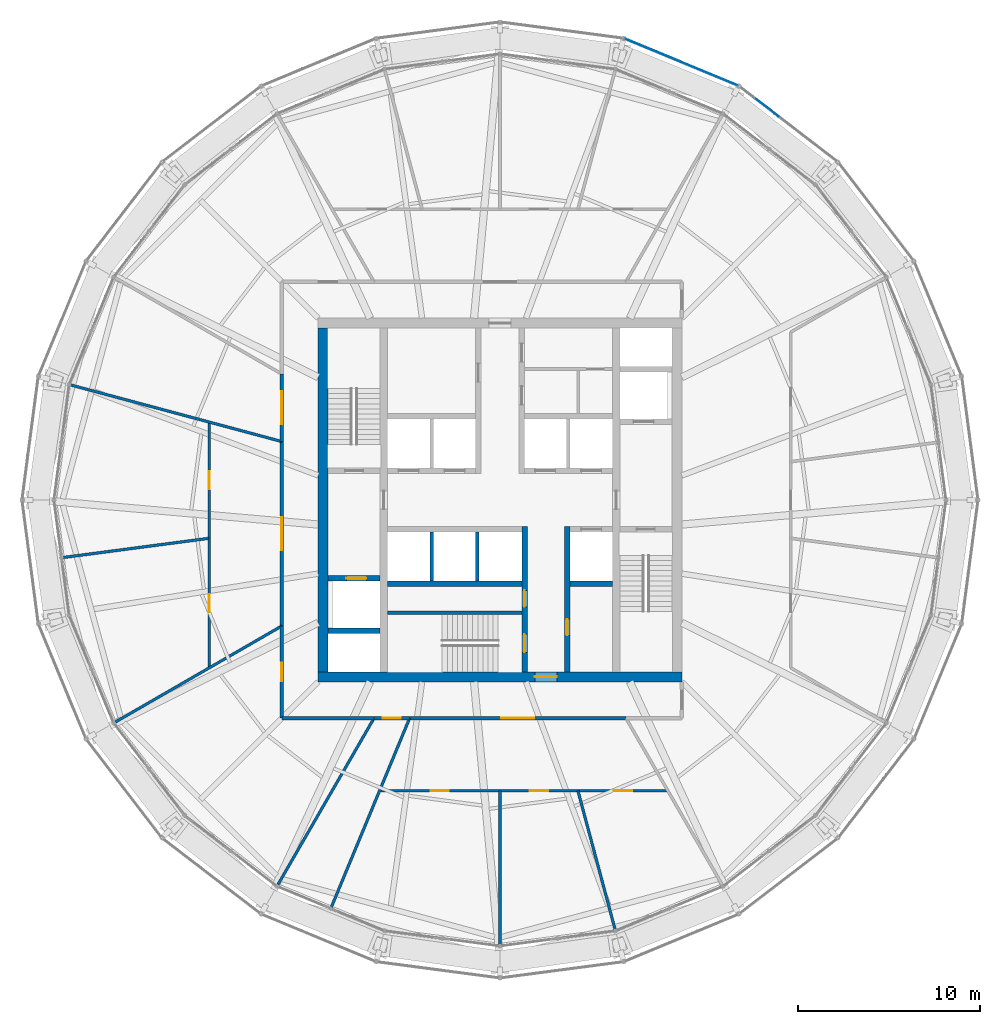
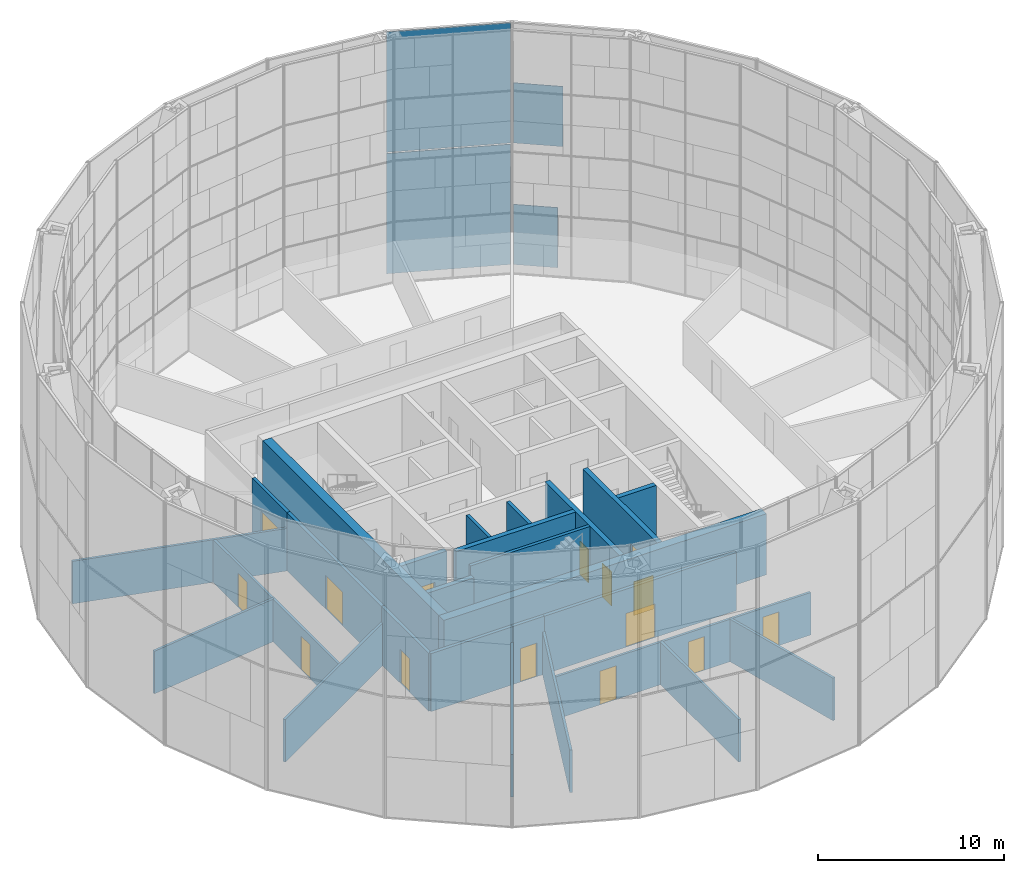
# One storey, part 26 of 29: 26 walls, 15 doors, 4 plates, 15 openings, 2 elements without a shape of their own.
"""IFC4 building model written with IfcOpenShell, lengths in metres."""

from ifc_helpers import new_model, si_unit, direction, frame, frame_2d, origin, origin_2d, place, context, subcontext, project, spatial, rectangle, extrude, material, layer, layer_set, type_object, element, fill, aggregate, save


model = new_model("IFC4")

# Units and contexts
model_context = context("Model", 3, precision=1e-05, world=origin(), true_north=direction((0.0, 1.0)))
body_context = subcontext(model_context, "Body", "Model", "MODEL_VIEW")
ifc_project = project(units=[si_unit("LENGTHUNIT", "METRE"), si_unit("AREAUNIT", "SQUARE_METRE"), si_unit("VOLUMEUNIT", "CUBIC_METRE"), si_unit("PLANEANGLEUNIT", "RADIAN"), si_unit("MASSUNIT", "GRAM", prefix="KILO")], contexts=[model_context])

# Site, building, storey
site_placement = place(None, origin())
site = spatial("IfcSite", under=ifc_project, at=site_placement, CompositionType="ELEMENT")
building_placement = place(site_placement, origin())
building = spatial("IfcBuilding", under=site, at=building_placement, Name="Golbaran Civic Tower", CompositionType="ELEMENT")
storey_placement = place(building_placement, frame((0.0, 0.0, 118.0)))
storey = spatial("IfcBuildingStorey", under=building, at=storey_placement, Name="L28", CompositionType="ELEMENT", Elevation=118.0)

# Curtain wall, plates
ifc_material_1 = material(Name="Aluminium and glass", Category="aluminium")
curtain_wall_type = type_object("IfcCurtainWallType", Name="OUTER SKIN TERRACOTTA SCREEN", PredefinedType="NOTDEFINED", material=ifc_material_1)
curtain_wall_1_placement = place(storey_placement, origin())
curtain_wall_1 = element("IfcCurtainWall", 1, at=curtain_wall_1_placement, inside=storey, type_object=curtain_wall_type, Name="Outer skin L28 facet 4 CW3", ObjectType="OUTER SKIN", PredefinedType="USERDEFINED")
ifc_material_2 = material(Name="Clear laminated glass", Category="glass")
ifc_layer_1 = layer(ifc_material_2, 0.0400390625, Name="Clear laminated glass")
ifc_layer_set_1 = layer_set([ifc_layer_1], Name="Clear laminated glass")
plate_type_1 = type_object("IfcPlateType", Name="OUTER SKIN CLEAR GLASS PANEL", PredefinedType="CURTAIN_PANEL", material=ifc_layer_set_1)
plate_1_placement = place(storey_placement, frame((14.26953125, 21.90869140625, 7.330078125), z_axis=(0.0, 0.0, 1.0), x_axis=(-0.793353340302, 0.608761428995, 0.0)))
plate_1 = element("IfcPlate", 2, at=plate_1_placement, type_object=plate_type_1, Name="CW3 panel 1.2 part 3", PredefinedType="CURTAIN_PANEL", context=body_context, shape_type="SweptSolid", body=[
    extrude(rectangle(XDim=2.6708984375, YDim=0.0400390625, at=origin_2d()), origin(), (0.0, 0.0, 1.0), 3.93994140625),
])
ifc_material_3 = material(Name="Terracotta baguette screen", Category="masonry")
ifc_layer_2 = layer(ifc_material_3, 0.0400390625, Name="Terracotta baguette screen")
ifc_layer_set_2 = layer_set([ifc_layer_2], Name="Terracotta baguette screen")
plate_type_2 = type_object("IfcPlateType", Name="OUTER SKIN TERRACOTTA INFILL PANEL", PredefinedType="CURTAIN_PANEL", material=ifc_layer_set_2)
plate_2_placement = place(storey_placement, frame((14.160400390625, 21.992431640625, -0.6298828125), z_axis=(0.0, 0.0, 1.0), x_axis=(-0.793353340302, 0.608761428995, 0.0)))
plate_2 = element("IfcPlate", 3, at=plate_2_placement, type_object=plate_type_2, Name="CW3 infill panel 1.1 part 2", PredefinedType="CURTAIN_PANEL", context=body_context, shape_type="SweptSolid", body=[
    extrude(rectangle(XDim=2.395751953125, YDim=0.0400390625, at=origin_2d()), origin(), (0.0, 0.0, 1.0), 3.93994140625),
])
aggregate(curtain_wall_1, [plate_2, plate_1])

curtain_wall_2_placement = place(storey_placement, origin())
curtain_wall_2 = element("IfcCurtainWall", 4, at=curtain_wall_2_placement, inside=storey, type_object=curtain_wall_type, Name="Outer skin L28 facet 5 CW3", ObjectType="OUTER SKIN", PredefinedType="USERDEFINED")
ifc_layer_3 = layer(ifc_material_3, 0.0400390625, Name="Terracotta baguette screen")
ifc_layer_set_3 = layer_set([ifc_layer_3], Name="Terracotta baguette screen")
plate_type_3 = type_object("IfcPlateType", Name="OUTER SKIN TERRACOTTA SCREEN PANEL", PredefinedType="CURTAIN_PANEL", material=ifc_layer_set_3)
plate_3_placement = place(storey_placement, frame((9.975830078125, 24.083740234375, -0.6298828125), z_axis=(0.0, 0.0, 1.0), x_axis=(-0.923879532505, 0.382683432381, 0.0)))
plate_3 = element("IfcPlate", 5, at=plate_3_placement, type_object=plate_type_3, Name="CW3 terracotta screen panel 1.1", PredefinedType="CURTAIN_PANEL", context=body_context, shape_type="SweptSolid", body=[
    extrude(rectangle(XDim=6.703857421875, YDim=0.0400390625, at=origin_2d()), origin(), (0.0, 0.0, 1.0), 7.8798828125),
])
plate_4_placement = place(storey_placement, frame((9.975830078125, 24.083740234375, 7.330078125), z_axis=(0.0, 0.0, 1.0), x_axis=(-0.923879532505, 0.382683432381, 0.0)))
plate_4 = element("IfcPlate", 6, at=plate_4_placement, type_object=plate_type_3, Name="CW3 terracotta screen panel 1.2", PredefinedType="CURTAIN_PANEL", context=body_context, shape_type="SweptSolid", body=[
    extrude(rectangle(XDim=6.703857421875, YDim=0.0400390625, at=origin_2d()), origin(), (0.0, 0.0, 1.0), 7.8798828125),
])
aggregate(curtain_wall_2, [plate_3, plate_4])

# Wall, opening, door
ifc_material_4 = material(Name="Concrete C50/60", Category="concrete")
ifc_layer_4 = layer(ifc_material_4, 0.550048828125, Name="Concrete C50/60")
ifc_layer_set_4 = layer_set([ifc_layer_4], Name="Concrete C50/60")
wall_type_1 = type_object("IfcWallType", Name="CORE WALL CONCRETE 550", PredefinedType="SOLIDWALL", material=ifc_layer_set_4)
wall_1_placement = place(storey_placement, frame((10.0, -9.72509765625, 0.0), z_axis=(0.0, 0.0, 1.0), x_axis=(-1.0, 0.0, 0.0)))
wall_1 = element("IfcWall", 7, at=wall_1_placement, inside=storey, type_object=wall_type_1, Name="Core wall CS L28", PredefinedType="SOLIDWALL", context=body_context, shape_type="SweptSolid", body=[
    extrude(rectangle(XDim=20.0, YDim=0.550048828125, at=frame_2d((10.0, 0.0))), origin(), (0.0, 0.0, 1.0), 4.0),
])
opening_1_placement = place(wall_1_placement, frame((6.875, 0.0, 0.0)))
opening_1 = element("IfcOpeningElement", 8, at=opening_1_placement, cuts=wall_1, Name="Opening L28.CS", PredefinedType="OPENING", context=body_context, shape_type="SweptSolid", body=[
    extrude(rectangle(XDim=1.199951171875, YDim=2.199951171875, at=frame_2d((0.60009765625, 1.10009765625))), frame((0.0, 0.284912109375, 0.0), z_axis=(0.0, -1.0, 0.0), x_axis=(1.0, 0.0, 0.0)), (0.0, 0.0, 1.0), 0.570068359375),
])
ifc_material_5 = material(Name="Timber door set in steel frame", Category="steel")
door_type_1 = type_object("IfcDoorType", Name="CORE DOOR 1200x2200", OperationType="DOUBLE_DOOR_SINGLE_SWING", PredefinedType="DOOR", material=ifc_material_5)
door_1_placement = place(opening_1_placement, origin())
door_1 = element("IfcDoor", 9, at=door_1_placement, inside=storey, type_object=door_type_1, Name="Core door south", OperationType="DOUBLE_DOOR_SINGLE_SWING", OverallHeight=2.199951171875, OverallWidth=1.199951171875, PredefinedType="DOOR", context=body_context, shape_type="SweptSolid", body=[
    extrude(rectangle(XDim=1.199951171875, YDim=2.199951171875, at=frame_2d((0.60009765625, 1.10009765625))), frame((0.0, 0.02490234375, 0.0), z_axis=(0.0, -1.0, 0.0), x_axis=(1.0, 0.0, 0.0)), (0.0, 0.0, 1.0), 0.050048828125),
])
fill(opening_1, door_1)

# Wall
wall_2_placement = place(storey_placement, frame((-9.72509765625, 9.449951171875, 0.0), z_axis=(0.0, 0.0, 1.0), x_axis=(0.0, -1.0, 0.0)))
element("IfcWall", 10, at=wall_2_placement, inside=storey, type_object=wall_type_1, Name="Core wall CW L28", PredefinedType="SOLIDWALL", context=body_context, shape_type="SweptSolid", body=[
    extrude(rectangle(XDim=18.89990234375, YDim=0.550048828125, at=frame_2d((9.449951171875, 0.0))), origin(), (0.0, 0.0, 1.0), 4.0),
])

# Wall, opening, door
ifc_material_6 = material(Name="Gypsum board on steel studs, fire-rated", Category="steel")
ifc_layer_5 = layer(ifc_material_6, 0.199951171875, Name="Gypsum board on steel studs, fire-rated")
ifc_layer_set_5 = layer_set([ifc_layer_5], Name="Gypsum board on steel studs, fire-rated")
wall_type_2 = type_object("IfcWallType", Name="CORRIDOR WALL 200", PredefinedType="PARTITIONING", material=ifc_layer_set_5)
wall_3_placement = place(storey_placement, frame((-12.0, 6.92822265625, 0.0), z_axis=(0.0, 0.0, 1.0), x_axis=(0.0, -1.0, 0.0)))
wall_3 = element("IfcWall", 11, at=wall_3_placement, inside=storey, type_object=wall_type_2, Name="Corridor wall L28", PredefinedType="PARTITIONING", context=body_context, shape_type="SweptSolid", body=[
    extrude(rectangle(XDim=3.712890625, YDim=0.199951171875, at=frame_2d((1.8564453125, 0.0))), origin(), (0.0, 0.0, 1.0), 3.800048828125),
])
opening_2_placement = place(wall_3_placement, frame((0.956298828125, 0.0, 0.0)))
opening_2 = element("IfcOpeningElement", 12, at=opening_2_placement, cuts=wall_3, Name="Opening L28.15", PredefinedType="OPENING", context=body_context, shape_type="SweptSolid", body=[
    extrude(rectangle(XDim=1.800048828125, YDim=2.199951171875, at=frame_2d((0.89990234375, 1.10009765625))), frame((0.0, 0.10986328125, 0.0), z_axis=(0.0, -1.0, 0.0), x_axis=(1.0, 0.0, 0.0)), (0.0, 0.0, 1.0), 0.219970703125),
])
door_type_2 = type_object("IfcDoorType", Name="OFFICE DOUBLE DOOR 1800x2200", OperationType="DOUBLE_DOOR_SINGLE_SWING", PredefinedType="DOOR", material=ifc_material_5)
door_2_placement = place(opening_2_placement, origin())
door_2 = element("IfcDoor", 13, at=door_2_placement, inside=storey, type_object=door_type_2, Name="Open Office door L28", OperationType="DOUBLE_DOOR_SINGLE_SWING", OverallHeight=2.199951171875, OverallWidth=1.800048828125, PredefinedType="DOOR", context=body_context, shape_type="SweptSolid", body=[
    extrude(rectangle(XDim=1.800048828125, YDim=2.199951171875, at=frame_2d((0.89990234375, 1.10009765625))), frame((0.0, 0.02490234375, 0.0), z_axis=(0.0, -1.0, 0.0), x_axis=(1.0, 0.0, 0.0)), (0.0, 0.0, 1.0), 0.050048828125),
])
fill(opening_2, door_2)

wall_4_placement = place(storey_placement, frame((-12.0, 3.21533203125, 0.0), z_axis=(0.0, 0.0, 1.0), x_axis=(0.0, -1.0, 0.0)))
wall_4 = element("IfcWall", 14, at=wall_4_placement, inside=storey, type_object=wall_type_2, Name="Corridor wall L28", PredefinedType="PARTITIONING", context=body_context, shape_type="SweptSolid", body=[
    extrude(rectangle(XDim=10.1435546875, YDim=0.199951171875, at=frame_2d((5.07177734375, 0.0))), origin(), (0.0, 0.0, 1.0), 3.800048828125),
])
opening_3_placement = place(wall_4_placement, frame((4.171875, 0.0, 0.0)))
opening_3 = element("IfcOpeningElement", 15, at=opening_3_placement, cuts=wall_4, Name="Opening L28.16", PredefinedType="OPENING", context=body_context, shape_type="SweptSolid", body=[
    extrude(rectangle(XDim=1.800048828125, YDim=2.199951171875, at=frame_2d((0.89990234375, 1.10009765625))), frame((0.0, 0.10986328125, 0.0), z_axis=(0.0, -1.0, 0.0), x_axis=(1.0, 0.0, 0.0)), (0.0, 0.0, 1.0), 0.219970703125),
])
door_3_placement = place(opening_3_placement, origin())
door_3 = element("IfcDoor", 16, at=door_3_placement, inside=storey, type_object=door_type_2, Name="Secretariat door L28", OperationType="DOUBLE_DOOR_SINGLE_SWING", OverallHeight=2.199951171875, OverallWidth=1.800048828125, PredefinedType="DOOR", context=body_context, shape_type="SweptSolid", body=[
    extrude(rectangle(XDim=1.800048828125, YDim=2.199951171875, at=frame_2d((0.89990234375, 1.10009765625))), frame((0.0, 0.02490234375, 0.0), z_axis=(0.0, -1.0, 0.0), x_axis=(1.0, 0.0, 0.0)), (0.0, 0.0, 1.0), 0.050048828125),
])
fill(opening_3, door_3)

wall_5_placement = place(storey_placement, frame((-12.0, -6.92822265625, 0.0), z_axis=(0.0, 0.0, 1.0), x_axis=(0.0, -1.0, 0.0)))
wall_5 = element("IfcWall", 17, at=wall_5_placement, inside=storey, type_object=wall_type_2, Name="Corridor wall L28", PredefinedType="PARTITIONING", context=body_context, shape_type="SweptSolid", body=[
    extrude(rectangle(XDim=5.07177734375, YDim=0.199951171875, at=frame_2d((2.535888671875, 0.0))), origin(), (0.0, 0.0, 1.0), 3.800048828125),
])
opening_4_placement = place(wall_5_placement, frame((2.035888671875, 0.0, 0.0)))
opening_4 = element("IfcOpeningElement", 18, at=opening_4_placement, cuts=wall_5, Name="Opening L28.17", PredefinedType="OPENING", context=body_context, shape_type="SweptSolid", body=[
    extrude(rectangle(XDim=1.0, YDim=2.199951171875, at=frame_2d((0.5, 1.10009765625))), frame((0.0, 0.10986328125, 0.0), z_axis=(0.0, -1.0, 0.0), x_axis=(1.0, 0.0, 0.0)), (0.0, 0.0, 1.0), 0.219970703125),
])
door_type_3 = type_object("IfcDoorType", Name="OFFICE DOOR 1000x2200", OperationType="SINGLE_SWING_LEFT", PredefinedType="DOOR", material=ifc_material_5)
door_4_placement = place(opening_4_placement, origin())
door_4 = element("IfcDoor", 19, at=door_4_placement, inside=storey, type_object=door_type_3, Name="File Room door L28", OperationType="SINGLE_SWING_RIGHT", OverallHeight=2.199951171875, OverallWidth=1.0, PredefinedType="DOOR", context=body_context, shape_type="SweptSolid", body=[
    extrude(rectangle(XDim=1.0, YDim=2.199951171875, at=frame_2d((0.5, 1.10009765625))), frame((0.0, 0.02490234375, 0.0), z_axis=(0.0, -1.0, 0.0), x_axis=(1.0, 0.0, 0.0)), (0.0, 0.0, 1.0), 0.050048828125),
])
fill(opening_4, door_4)

# Wall
wall_6_placement = place(storey_placement, frame((-12.0, -12.0, 0.0), z_axis=(0.0, 0.0, 1.0), x_axis=(1.0, 0.0, 0.0)))
element("IfcWall", 20, at=wall_6_placement, inside=storey, type_object=wall_type_2, Name="Corridor wall L28", PredefinedType="PARTITIONING", context=body_context, shape_type="SweptSolid", body=[
    extrude(rectangle(XDim=5.07177734375, YDim=0.199951171875, at=frame_2d((2.535888671875, 0.0))), origin(), (0.0, 0.0, 1.0), 3.800048828125),
])

# Wall, opening, door
wall_7_placement = place(storey_placement, frame((-6.92822265625, -12.0, 0.0), z_axis=(0.0, 0.0, 1.0), x_axis=(1.0, 0.0, 0.0)))
wall_7 = element("IfcWall", 21, at=wall_7_placement, inside=storey, type_object=wall_type_2, Name="Corridor wall L28", PredefinedType="PARTITIONING", context=body_context, shape_type="SweptSolid", body=[
    extrude(rectangle(XDim=1.957763671875, YDim=0.199951171875, at=frame_2d((0.97900390625, 0.0))), origin(), (0.0, 0.0, 1.0), 3.800048828125),
])
opening_5_placement = place(wall_7_placement, frame((0.478759765625, 0.0, 0.0)))
opening_5 = element("IfcOpeningElement", 22, at=opening_5_placement, cuts=wall_7, Name="Opening L28.18", PredefinedType="OPENING", context=body_context, shape_type="SweptSolid", body=[
    extrude(rectangle(XDim=1.0, YDim=2.199951171875, at=frame_2d((0.5, 1.10009765625))), frame((0.0, 0.10986328125, 0.0), z_axis=(0.0, -1.0, 0.0), x_axis=(1.0, 0.0, 0.0)), (0.0, 0.0, 1.0), 0.219970703125),
])
door_5_placement = place(opening_5_placement, origin())
door_5 = element("IfcDoor", 23, at=door_5_placement, inside=storey, type_object=door_type_3, Name="Meeting Room door L28", OperationType="SINGLE_SWING_LEFT", OverallHeight=2.199951171875, OverallWidth=1.0, PredefinedType="DOOR", context=body_context, shape_type="SweptSolid", body=[
    extrude(rectangle(XDim=1.0, YDim=2.199951171875, at=frame_2d((0.5, 1.10009765625))), frame((0.0, 0.02490234375, 0.0), z_axis=(0.0, -1.0, 0.0), x_axis=(1.0, 0.0, 0.0)), (0.0, 0.0, 1.0), 0.050048828125),
])
fill(opening_5, door_5)

wall_8_placement = place(storey_placement, frame((-4.970458984375, -12.0, 0.0), z_axis=(0.0, 0.0, 1.0), x_axis=(1.0, 0.0, 0.0)))
wall_8 = element("IfcWall", 24, at=wall_8_placement, inside=storey, type_object=wall_type_2, Name="Corridor wall L28", PredefinedType="PARTITIONING", context=body_context, shape_type="SweptSolid", body=[
    extrude(rectangle(XDim=11.898681640625, YDim=0.199951171875, at=frame_2d((5.94921875, 0.0))), origin(), (0.0, 0.0, 1.0), 3.800048828125),
])
opening_6_placement = place(wall_8_placement, frame((5.04931640625, 0.0, 0.0)))
opening_6 = element("IfcOpeningElement", 25, at=opening_6_placement, cuts=wall_8, Name="Opening L28.19", PredefinedType="OPENING", context=body_context, shape_type="SweptSolid", body=[
    extrude(rectangle(XDim=1.800048828125, YDim=2.199951171875, at=frame_2d((0.89990234375, 1.10009765625))), frame((0.0, 0.10986328125, 0.0), z_axis=(0.0, -1.0, 0.0), x_axis=(1.0, 0.0, 0.0)), (0.0, 0.0, 1.0), 0.219970703125),
])
door_6_placement = place(opening_6_placement, origin())
door_6 = element("IfcDoor", 26, at=door_6_placement, inside=storey, type_object=door_type_2, Name="Secretariat door L28", OperationType="DOUBLE_DOOR_SINGLE_SWING", OverallHeight=2.199951171875, OverallWidth=1.800048828125, PredefinedType="DOOR", context=body_context, shape_type="SweptSolid", body=[
    extrude(rectangle(XDim=1.800048828125, YDim=2.199951171875, at=frame_2d((0.89990234375, 1.10009765625))), frame((0.0, 0.02490234375, 0.0), z_axis=(0.0, -1.0, 0.0), x_axis=(1.0, 0.0, 0.0)), (0.0, 0.0, 1.0), 0.050048828125),
])
fill(opening_6, door_6)

# Walls
ifc_material_7 = material(Name="Concrete block", Category="concrete")
ifc_layer_6 = layer(ifc_material_7, 0.199951171875, Name="Concrete block")
ifc_layer_set_6 = layer_set([ifc_layer_6], Name="Concrete block")
wall_type_3 = type_object("IfcWallType", Name="LIFT SEPARATOR WALL 200", PredefinedType="SOLIDWALL", material=ifc_layer_set_6)
for number, where, z_axis, x_axis, name in (
    (27, (-3.75, -1.75, 0.0), (0.0, 0.0, 1.0), (0.0, -1.0, 0.0), "Core partition SSW L28"),
    (28, (-1.25, -1.75, 0.0), (0.0, 0.0, 1.0), (0.0, -1.0, 0.0), "Core partition SSM L28"),
):
    element("IfcWall", number, at=place(storey_placement, frame(where, z_axis=z_axis, x_axis=x_axis)), inside=storey, type_object=wall_type_3, Name=name, PredefinedType="SOLIDWALL", context=body_context, shape_type="SweptSolid", body=[
        extrude(rectangle(XDim=2.699951171875, YDim=0.199951171875, at=frame_2d((1.35009765625, 0.0))), origin(), (0.0, 0.0, 1.0), 3.75),
    ])
ifc_material_8 = material(Name="Gypsum board on steel studs", Category="steel")
ifc_layer_7 = layer(ifc_material_8, 0.14990234375, Name="Gypsum board on steel studs")
ifc_layer_set_7 = layer_set([ifc_layer_7], Name="Gypsum board on steel studs")
wall_type_4 = type_object("IfcWallType", Name="OFFICE PARTITION 150", PredefinedType="PARTITIONING", material=ifc_layer_set_7)
wall_9_placement = place(storey_placement, frame((-12.0, 3.21533203125, 0.0), z_axis=(0.0, 0.0, 1.0), x_axis=(-0.965923753467, 0.258826780857, 0.0)))
element("IfcWall", 29, at=wall_9_placement, inside=storey, type_object=wall_type_4, Name="Partition 165 L28", PredefinedType="PARTITIONING", context=body_context, shape_type="SweptSolid", body=[
    extrude(rectangle(XDim=12.02001953125, YDim=0.14990234375, at=frame_2d((6.010009765625, 0.0))), origin(), (0.0, 0.0, 1.0), 2.7900390625),
])
for number, where, z_axis, x_axis, name in (
    (30, (-12.0, -6.92822265625, 0.0), (0.0, 0.0, 1.0), (-0.866023526577, -0.500003251404, 0.0), "Partition 210 L28"),
    (31, (-6.92822265625, -12.0, 0.0), (0.0, 0.0, 1.0), (-0.500003251404, -0.866023526577, 0.0), "Partition 240 L28"),
):
    element("IfcWall", number, at=place(storey_placement, frame(where, z_axis=z_axis, x_axis=x_axis)), inside=storey, type_object=wall_type_4, Name=name, PredefinedType="PARTITIONING", context=body_context, shape_type="SweptSolid", body=[
        extrude(rectangle(XDim=10.5869140625, YDim=0.14990234375, at=frame_2d((5.29345703125, 0.0))), origin(), (0.0, 0.0, 1.0), 2.7900390625),
    ])
wall_10_placement = place(storey_placement, frame((-4.970458984375, -12.0, 0.0), z_axis=(0.0, 0.0, 1.0), x_axis=(-0.382686061022, -0.923878443682, 0.0)))
element("IfcWall", 32, at=wall_10_placement, inside=storey, type_object=wall_type_4, Name="Partition 247.5 L28", PredefinedType="PARTITIONING", context=body_context, shape_type="SweptSolid", body=[
    extrude(rectangle(XDim=11.245361328125, YDim=0.14990234375, at=frame_2d((5.62255859375, 0.0))), origin(), (0.0, 0.0, 1.0), 2.7900390625),
])

# Wall, openings, doors
wall_11_placement = place(storey_placement, frame((-16.0, 4.287109375, 0.0), z_axis=(0.0, 0.0, 1.0), x_axis=(0.0, -1.0, 0.0)))
wall_11 = element("IfcWall", 33, at=wall_11_placement, inside=storey, type_object=wall_type_4, Name="Suite partition L28", PredefinedType="PARTITIONING", context=body_context, shape_type="SweptSolid", body=[
    extrude(rectangle(XDim=13.524658203125, YDim=0.14990234375, at=frame_2d((6.76220703125, 0.0))), origin(), (0.0, 0.0, 1.0), 2.7900390625),
])
opening_7_placement = place(wall_11_placement, frame((2.69677734375, 0.0, 0.0)))
opening_7 = element("IfcOpeningElement", 34, at=opening_7_placement, cuts=wall_11, Name="Opening L28.08", PredefinedType="OPENING", context=body_context, shape_type="SweptSolid", body=[
    extrude(rectangle(XDim=1.0, YDim=2.199951171875, at=frame_2d((0.5, 1.10009765625))), frame((0.0, 0.0849609375, 0.0), z_axis=(0.0, -1.0, 0.0), x_axis=(1.0, 0.0, 0.0)), (0.0, 0.0, 1.0), 0.169921875),
])
opening_8_placement = place(wall_11_placement, frame((9.459228515625, 0.0, 0.0)))
opening_8 = element("IfcOpeningElement", 35, at=opening_8_placement, cuts=wall_11, Name="Opening L28.09", PredefinedType="OPENING", context=body_context, shape_type="SweptSolid", body=[
    extrude(rectangle(XDim=1.0, YDim=2.199951171875, at=frame_2d((0.5, 1.10009765625))), frame((0.0, 0.0849609375, 0.0), z_axis=(0.0, -1.0, 0.0), x_axis=(1.0, 0.0, 0.0)), (0.0, 0.0, 1.0), 0.169921875),
])
door_7_placement = place(opening_7_placement, origin())
door_7 = element("IfcDoor", 36, at=door_7_placement, inside=storey, type_object=door_type_3, Name="Office door L28", OperationType="SINGLE_SWING_LEFT", OverallHeight=2.199951171875, OverallWidth=1.0, PredefinedType="DOOR", context=body_context, shape_type="SweptSolid", body=[
    extrude(rectangle(XDim=1.0, YDim=2.199951171875, at=frame_2d((0.5, 1.10009765625))), frame((0.0, 0.02490234375, 0.0), z_axis=(0.0, -1.0, 0.0), x_axis=(1.0, 0.0, 0.0)), (0.0, 0.0, 1.0), 0.050048828125),
])
fill(opening_7, door_7)
door_8_placement = place(opening_8_placement, origin())
door_8 = element("IfcDoor", 37, at=door_8_placement, inside=storey, type_object=door_type_3, Name="Office door L28", OperationType="SINGLE_SWING_RIGHT", OverallHeight=2.199951171875, OverallWidth=1.0, PredefinedType="DOOR", context=body_context, shape_type="SweptSolid", body=[
    extrude(rectangle(XDim=1.0, YDim=2.199951171875, at=frame_2d((0.5, 1.10009765625))), frame((0.0, 0.02490234375, 0.0), z_axis=(0.0, -1.0, 0.0), x_axis=(1.0, 0.0, 0.0)), (0.0, 0.0, 1.0), 0.050048828125),
])
fill(opening_8, door_8)

# Wall
wall_12_placement = place(storey_placement, frame((-16.0, -2.1064453125, 0.0), z_axis=(0.0, 0.0, 1.0), x_axis=(-0.99144669858, -0.130512236494, 0.0)))
element("IfcWall", 38, at=wall_12_placement, inside=storey, type_object=wall_type_4, Name="Partition 187.5 L28", PredefinedType="PARTITIONING", context=body_context, shape_type="SweptSolid", body=[
    extrude(rectangle(XDim=8.09619140625, YDim=0.14990234375, at=frame_2d((4.048095703125, 0.0))), origin(), (0.0, 0.0, 1.0), 2.7900390625),
])

# Wall, openings, doors
wall_13_placement = place(storey_placement, frame((-6.62744140625, -16.0, 0.0), z_axis=(0.0, 0.0, 1.0), x_axis=(1.0, 0.0, 0.0)))
wall_13 = element("IfcWall", 39, at=wall_13_placement, inside=storey, type_object=wall_type_4, Name="Suite partition L28", PredefinedType="PARTITIONING", context=body_context, shape_type="SweptSolid", body=[
    extrude(rectangle(XDim=15.864990234375, YDim=0.14990234375, at=frame_2d((7.9326171875, 0.0))), origin(), (0.0, 0.0, 1.0), 2.7900390625),
])
opening_9_placement = place(wall_13_placement, frame((2.813720703125, 0.0, 0.0)))
opening_9 = element("IfcOpeningElement", 40, at=opening_9_placement, cuts=wall_13, Name="Opening L28.10", PredefinedType="OPENING", context=body_context, shape_type="SweptSolid", body=[
    extrude(rectangle(XDim=1.0, YDim=2.199951171875, at=frame_2d((0.5, 1.10009765625))), frame((0.0, 0.0849609375, 0.0), z_axis=(0.0, -1.0, 0.0), x_axis=(1.0, 0.0, 0.0)), (0.0, 0.0, 1.0), 0.169921875),
])
opening_10_placement = place(wall_13_placement, frame((8.27099609375, 0.0, 0.0)))
opening_10 = element("IfcOpeningElement", 41, at=opening_10_placement, cuts=wall_13, Name="Opening L28.11", PredefinedType="OPENING", context=body_context, shape_type="SweptSolid", body=[
    extrude(rectangle(XDim=1.0, YDim=2.199951171875, at=frame_2d((0.5, 1.10009765625))), frame((0.0, 0.0849609375, 0.0), z_axis=(0.0, -1.0, 0.0), x_axis=(1.0, 0.0, 0.0)), (0.0, 0.0, 1.0), 0.169921875),
])
opening_11_placement = place(wall_13_placement, frame((12.889892578125, 0.0, 0.0)))
opening_11 = element("IfcOpeningElement", 42, at=opening_11_placement, cuts=wall_13, Name="Opening L28.12", PredefinedType="OPENING", context=body_context, shape_type="SweptSolid", body=[
    extrude(rectangle(XDim=1.0, YDim=2.199951171875, at=frame_2d((0.5, 1.10009765625))), frame((0.0, 0.0849609375, 0.0), z_axis=(0.0, -1.0, 0.0), x_axis=(1.0, 0.0, 0.0)), (0.0, 0.0, 1.0), 0.169921875),
])
door_9_placement = place(opening_9_placement, origin())
door_9 = element("IfcDoor", 43, at=door_9_placement, inside=storey, type_object=door_type_3, Name="Office door L28", OperationType="SINGLE_SWING_LEFT", OverallHeight=2.199951171875, OverallWidth=1.0, PredefinedType="DOOR", context=body_context, shape_type="SweptSolid", body=[
    extrude(rectangle(XDim=1.0, YDim=2.199951171875, at=frame_2d((0.5, 1.10009765625))), frame((0.0, 0.02490234375, 0.0), z_axis=(0.0, -1.0, 0.0), x_axis=(1.0, 0.0, 0.0)), (0.0, 0.0, 1.0), 0.050048828125),
])
fill(opening_9, door_9)
door_10_placement = place(opening_10_placement, origin())
door_10 = element("IfcDoor", 44, at=door_10_placement, inside=storey, type_object=door_type_3, Name="Office door L28", OperationType="SINGLE_SWING_RIGHT", OverallHeight=2.199951171875, OverallWidth=1.0, PredefinedType="DOOR", context=body_context, shape_type="SweptSolid", body=[
    extrude(rectangle(XDim=1.0, YDim=2.199951171875, at=frame_2d((0.5, 1.10009765625))), frame((0.0, 0.02490234375, 0.0), z_axis=(0.0, -1.0, 0.0), x_axis=(1.0, 0.0, 0.0)), (0.0, 0.0, 1.0), 0.050048828125),
])
fill(opening_10, door_10)
door_11_placement = place(opening_11_placement, origin())
door_11 = element("IfcDoor", 45, at=door_11_placement, inside=storey, type_object=door_type_3, Name="Office door L28", OperationType="SINGLE_SWING_RIGHT", OverallHeight=2.199951171875, OverallWidth=1.0, PredefinedType="DOOR", context=body_context, shape_type="SweptSolid", body=[
    extrude(rectangle(XDim=1.0, YDim=2.199951171875, at=frame_2d((0.5, 1.10009765625))), frame((0.0, 0.02490234375, 0.0), z_axis=(0.0, -1.0, 0.0), x_axis=(1.0, 0.0, 0.0)), (0.0, 0.0, 1.0), 0.050048828125),
])
fill(opening_11, door_11)

# Walls
wall_14_placement = place(storey_placement, frame((0.0, -16.0, 0.0), z_axis=(0.0, 0.0, 1.0), x_axis=(0.0, -1.0, 0.0)))
element("IfcWall", 46, at=wall_14_placement, inside=storey, type_object=wall_type_4, Name="Partition 270 L28", PredefinedType="PARTITIONING", context=body_context, shape_type="SweptSolid", body=[
    extrude(rectangle(XDim=8.443115234375, YDim=0.14990234375, at=frame_2d((4.2216796875, 0.0))), origin(), (0.0, 0.0, 1.0), 2.7900390625),
])
wall_15_placement = place(storey_placement, frame((4.287109375, -16.0, 0.0), z_axis=(0.0, 0.0, 1.0), x_axis=(0.258833147156, -0.965922047545, 0.0)))
element("IfcWall", 47, at=wall_15_placement, inside=storey, type_object=wall_type_4, Name="Partition 285 L28", PredefinedType="PARTITIONING", context=body_context, shape_type="SweptSolid", body=[
    extrude(rectangle(XDim=7.87890625, YDim=0.14990234375, at=frame_2d((3.939453125, 0.0))), origin(), (0.0, 0.0, 1.0), 2.7900390625),
])
ifc_layer_8 = layer(ifc_material_4, 0.199951171875, Name="Concrete C50/60")
ifc_layer_set_8 = layer_set([ifc_layer_8], Name="Concrete C50/60")
wall_type_5 = type_object("IfcWallType", Name="SHAFT WALL CONCRETE 200", PredefinedType="SOLIDWALL", material=ifc_layer_set_8)
wall_16_placement = place(storey_placement, frame((-6.199951171875, -6.199951171875, 0.0), z_axis=(0.0, 0.0, 1.0), x_axis=(1.0, 0.0, 0.0)))
element("IfcWall", 48, at=wall_16_placement, inside=storey, type_object=wall_type_5, Name="Core wall S3N L28", PredefinedType="SOLIDWALL", context=body_context, shape_type="SweptSolid", body=[
    extrude(rectangle(XDim=7.39990234375, YDim=0.199951171875, at=frame_2d((3.699951171875, 0.0))), origin(), (0.0, 0.0, 1.0), 4.0),
])
ifc_layer_9 = layer(ifc_material_4, 0.300048828125, Name="Concrete C50/60")
ifc_layer_set_9 = layer_set([ifc_layer_9], Name="Concrete C50/60")
wall_type_6 = type_object("IfcWallType", Name="SHAFT WALL CONCRETE 300", PredefinedType="SOLIDWALL", material=ifc_layer_set_9)
wall_17_placement = place(storey_placement, frame((-6.199951171875, -4.60009765625, 0.0), z_axis=(0.0, 0.0, 1.0), x_axis=(1.0, 0.0, 0.0)))
element("IfcWall", 49, at=wall_17_placement, inside=storey, type_object=wall_type_6, Name="Core wall BSW L28", PredefinedType="SOLIDWALL", context=body_context, shape_type="SweptSolid", body=[
    extrude(rectangle(XDim=7.39990234375, YDim=0.300048828125, at=frame_2d((3.699951171875, 0.0))), origin(), (0.0, 0.0, 1.0), 4.0),
])
wall_18_placement = place(storey_placement, frame((3.85009765625, -4.60009765625, 0.0), z_axis=(0.0, 0.0, 1.0), x_axis=(1.0, 0.0, 0.0)))
element("IfcWall", 50, at=wall_18_placement, inside=storey, type_object=wall_type_6, Name="Core wall BSE L28", PredefinedType="SOLIDWALL", context=body_context, shape_type="SweptSolid", body=[
    extrude(rectangle(XDim=2.349853515625, YDim=0.300048828125, at=frame_2d((1.1748046875, 0.0))), origin(), (0.0, 0.0, 1.0), 4.0),
])

# Wall, openings, doors
wall_19_placement = place(storey_placement, frame((1.35009765625, -1.449951171875, 0.0), z_axis=(0.0, 0.0, 1.0), x_axis=(0.0, -1.0, 0.0)))
wall_19 = element("IfcWall", 51, at=wall_19_placement, inside=storey, type_object=wall_type_6, Name="Core wall PSW L28", PredefinedType="SOLIDWALL", context=body_context, shape_type="SweptSolid", body=[
    extrude(rectangle(XDim=8.0, YDim=0.300048828125, at=frame_2d((4.0, 0.0))), origin(), (0.0, 0.0, 1.0), 4.0),
])
opening_12_placement = place(wall_19_placement, frame((5.925048828125, 0.0, 0.0)))
opening_12 = element("IfcOpeningElement", 52, at=opening_12_placement, cuts=wall_19, Name="Opening L28.S3", PredefinedType="OPENING", context=body_context, shape_type="SweptSolid", body=[
    extrude(rectangle(XDim=1.0, YDim=2.199951171875, at=frame_2d((0.5, 1.10009765625))), frame((0.0, 0.159912109375, 0.0), z_axis=(0.0, -1.0, 0.0), x_axis=(1.0, 0.0, 0.0)), (0.0, 0.0, 1.0), 0.320068359375),
])
opening_13_placement = place(wall_19_placement, frame((3.52490234375, 0.0, 0.0)))
opening_13 = element("IfcOpeningElement", 53, at=opening_13_placement, cuts=wall_19, Name="Opening L28.RE", PredefinedType="OPENING", context=body_context, shape_type="SweptSolid", body=[
    extrude(rectangle(XDim=0.89990234375, YDim=2.199951171875, at=frame_2d((0.449951171875, 1.10009765625))), frame((0.0, 0.159912109375, 0.0), z_axis=(0.0, -1.0, 0.0), x_axis=(1.0, 0.0, 0.0)), (0.0, 0.0, 1.0), 0.320068359375),
])
door_type_4 = type_object("IfcDoorType", Name="RISER DOOR 900x2200", OperationType="SINGLE_SWING_LEFT", PredefinedType="DOOR", material=ifc_material_5)
door_12_placement = place(opening_13_placement, origin())
door_12 = element("IfcDoor", 54, at=door_12_placement, inside=storey, type_object=door_type_4, Name="Electrical riser door", OperationType="SINGLE_SWING_LEFT", OverallHeight=2.199951171875, OverallWidth=0.89990234375, PredefinedType="DOOR", context=body_context, shape_type="SweptSolid", body=[
    extrude(rectangle(XDim=0.89990234375, YDim=2.199951171875, at=frame_2d((0.449951171875, 1.10009765625))), frame((0.0, 0.02490234375, 0.0), z_axis=(0.0, -1.0, 0.0), x_axis=(1.0, 0.0, 0.0)), (0.0, 0.0, 1.0), 0.050048828125),
])
fill(opening_13, door_12)
door_type_5 = type_object("IfcDoorType", Name="STAIR DOOR 1000x2200", OperationType="SINGLE_SWING_LEFT", PredefinedType="DOOR", material=ifc_material_5)
door_13_placement = place(opening_12_placement, origin())
door_13 = element("IfcDoor", 55, at=door_13_placement, inside=storey, type_object=door_type_5, Name="Stair S3 door", OperationType="SINGLE_SWING_RIGHT", OverallHeight=2.199951171875, OverallWidth=1.0, PredefinedType="DOOR", context=body_context, shape_type="SweptSolid", body=[
    extrude(rectangle(XDim=1.0, YDim=2.199951171875, at=frame_2d((0.5, 1.10009765625))), frame((0.0, 0.02490234375, 0.0), z_axis=(0.0, -1.0, 0.0), x_axis=(1.0, 0.0, 0.0)), (0.0, 0.0, 1.0), 0.050048828125),
])
fill(opening_12, door_13)

# Wall, opening, door
wall_20_placement = place(storey_placement, frame((3.699951171875, -1.449951171875, 0.0), z_axis=(0.0, 0.0, 1.0), x_axis=(0.0, -1.0, 0.0)))
wall_20 = element("IfcWall", 56, at=wall_20_placement, inside=storey, type_object=wall_type_6, Name="Core wall PSE L28", PredefinedType="SOLIDWALL", context=body_context, shape_type="SweptSolid", body=[
    extrude(rectangle(XDim=8.0, YDim=0.300048828125, at=frame_2d((4.0, 0.0))), origin(), (0.0, 0.0, 1.0), 4.0),
])
opening_14_placement = place(wall_20_placement, frame((5.10009765625, 0.0, 0.0)))
opening_14 = element("IfcOpeningElement", 57, at=opening_14_placement, cuts=wall_20, Name="Opening L28.RM", PredefinedType="OPENING", context=body_context, shape_type="SweptSolid", body=[
    extrude(rectangle(XDim=0.89990234375, YDim=2.199951171875, at=frame_2d((0.449951171875, 1.10009765625))), frame((0.0, 0.159912109375, 0.0), z_axis=(0.0, -1.0, 0.0), x_axis=(1.0, 0.0, 0.0)), (0.0, 0.0, 1.0), 0.320068359375),
])
door_14_placement = place(opening_14_placement, origin())
door_14 = element("IfcDoor", 58, at=door_14_placement, inside=storey, type_object=door_type_4, Name="Mechanical riser door", OperationType="SINGLE_SWING_RIGHT", OverallHeight=2.199951171875, OverallWidth=0.89990234375, PredefinedType="DOOR", context=body_context, shape_type="SweptSolid", body=[
    extrude(rectangle(XDim=0.89990234375, YDim=2.199951171875, at=frame_2d((0.449951171875, 1.10009765625))), frame((0.0, 0.02490234375, 0.0), z_axis=(0.0, -1.0, 0.0), x_axis=(1.0, 0.0, 0.0)), (0.0, 0.0, 1.0), 0.050048828125),
])
fill(opening_14, door_14)

wall_21_placement = place(storey_placement, frame((-9.449951171875, -4.300048828125, 0.0), z_axis=(0.0, 0.0, 1.0), x_axis=(1.0, 0.0, 0.0)))
wall_21 = element("IfcWall", 59, at=wall_21_placement, inside=storey, type_object=wall_type_6, Name="Core wall XW2 L28", PredefinedType="SOLIDWALL", context=body_context, shape_type="SweptSolid", body=[
    extrude(rectangle(XDim=2.849853515625, YDim=0.300048828125, at=frame_2d((1.4248046875, 0.0))), origin(), (0.0, 0.0, 1.0), 4.0),
])
opening_15_placement = place(wall_21_placement, frame((1.0, 0.0, 0.0)))
opening_15 = element("IfcOpeningElement", 60, at=opening_15_placement, cuts=wall_21, Name="Opening L28.LD-F1", PredefinedType="OPENING", context=body_context, shape_type="SweptSolid", body=[
    extrude(rectangle(XDim=1.10009765625, YDim=2.199951171875, at=frame_2d((0.550048828125, 1.10009765625))), frame((0.0, 0.159912109375, 0.0), z_axis=(0.0, -1.0, 0.0), x_axis=(1.0, 0.0, 0.0)), (0.0, 0.0, 1.0), 0.320068359375),
])
ifc_material_9 = material(Name="Stainless steel", Category="steel")
door_type_6 = type_object("IfcDoorType", Name="LIFT LANDING DOOR 1100x2200", OperationType="SLIDING_TO_LEFT", PredefinedType="DOOR", material=ifc_material_9)
door_15_placement = place(opening_15_placement, origin())
door_15 = element("IfcDoor", 61, at=door_15_placement, inside=storey, type_object=door_type_6, Name="Lift landing door F1", OperationType="SLIDING_TO_LEFT", OverallHeight=2.199951171875, OverallWidth=1.10009765625, PredefinedType="DOOR", context=body_context, shape_type="SweptSolid", body=[
    extrude(rectangle(XDim=1.10009765625, YDim=2.199951171875, at=frame_2d((0.550048828125, 1.10009765625))), frame((0.0, 0.02490234375, 0.0), z_axis=(0.0, -1.0, 0.0), x_axis=(1.0, 0.0, 0.0)), (0.0, 0.0, 1.0), 0.050048828125),
])
fill(opening_15, door_15)

# Wall
wall_22_placement = place(storey_placement, frame((-9.449951171875, -7.199951171875, 0.0), z_axis=(0.0, 0.0, 1.0), x_axis=(1.0, 0.0, 0.0)))
element("IfcWall", 62, at=wall_22_placement, inside=storey, type_object=wall_type_6, Name="Core wall XW3 L28", PredefinedType="SOLIDWALL", context=body_context, shape_type="SweptSolid", body=[
    extrude(rectangle(XDim=2.849853515625, YDim=0.300048828125, at=frame_2d((1.4248046875, 0.0))), origin(), (0.0, 0.0, 1.0), 4.0),
])

save(model, "model.ifc")
